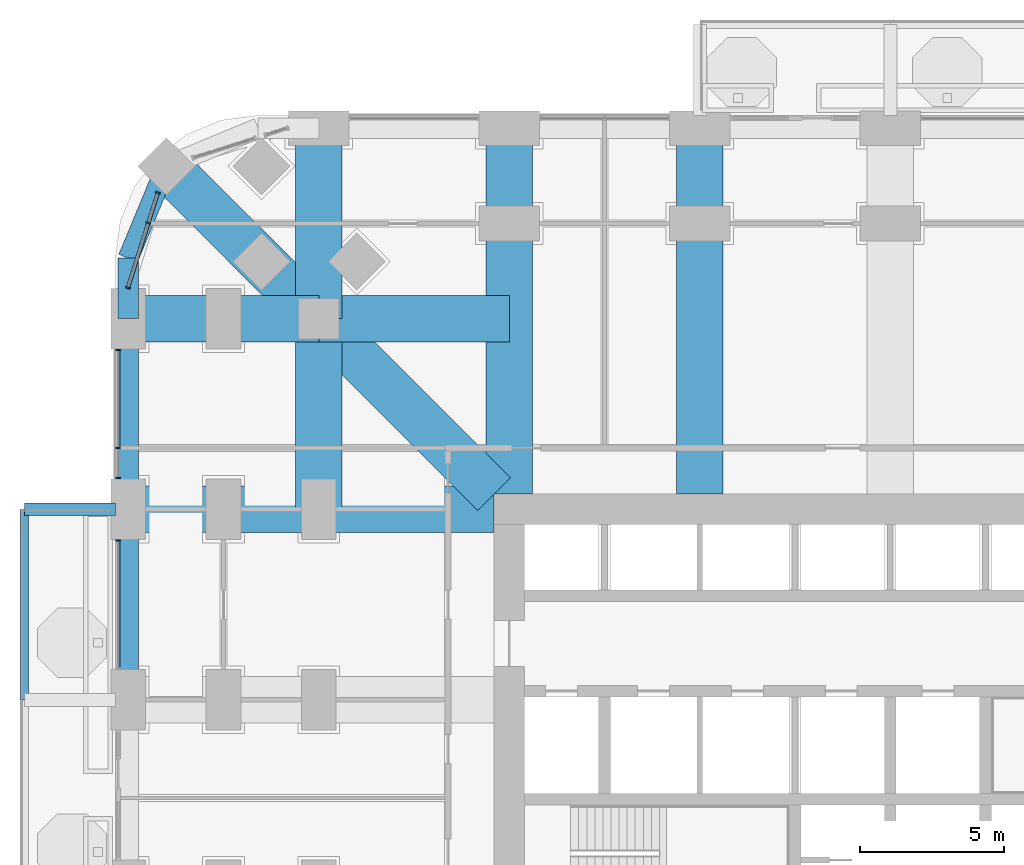
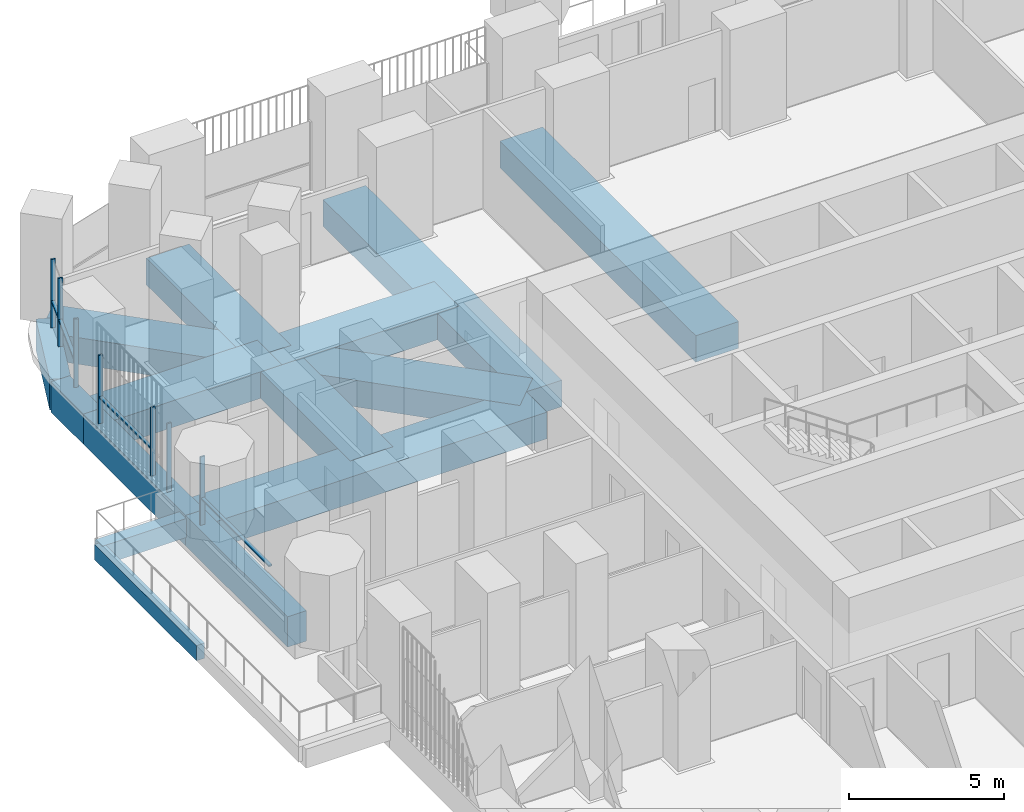
# One storey, part 6 of 26: 15 beams, 11 members, 3 elements without a shape of their own.
"""IFC4 building model written with IfcOpenShell, lengths in metres."""

from ifc_helpers import new_model, si_unit, direction, frame, origin, origin_2d, place, context, subcontext, project, spatial, rectangle, extrude, material, material_profile, profile_set, type_object, element, aggregate, save


model = new_model("IFC4")

# Units and contexts
model_context = context("Model", 3, precision=1e-05, world=origin(), true_north=direction((0.0, 1.0)))
body_context = subcontext(model_context, "Body", "Model", "MODEL_VIEW")
ifc_project = project(units=[si_unit("LENGTHUNIT", "METRE"), si_unit("AREAUNIT", "SQUARE_METRE"), si_unit("VOLUMEUNIT", "CUBIC_METRE"), si_unit("PLANEANGLEUNIT", "RADIAN"), si_unit("MASSUNIT", "GRAM", prefix="KILO")], contexts=[model_context])

# Site, building, storey
site_placement = place(None, origin())
site = spatial("IfcSite", under=ifc_project, at=site_placement, CompositionType="ELEMENT")
building_placement = place(site_placement, origin())
building = spatial("IfcBuilding", under=site, at=building_placement, Name="Cobogo Forest Laboratory Tower", CompositionType="ELEMENT")
storey_placement = place(building_placement, frame((0.0, 0.0, 59.10009765625)))
storey = spatial("IfcBuildingStorey", under=building, at=storey_placement, Name="L13", CompositionType="ELEMENT", Elevation=59.10009765625)

# Beams
ifc_material_1 = material(Name="Concrete HA-40 (C40/50)", Category="concrete")
ifc_material_profile_1 = material_profile(ifc_material_1, rectangle(XDim=0.449951171875, YDim=0.75, at=origin_2d()), Name="RC 450x750")
ifc_profile_set_1 = profile_set([ifc_material_profile_1], Name="Concrete HA-40 (C40/50)")
beam_type_1 = type_object("IfcBeamType", Name="Balcony cantilever beam 450x750", PredefinedType="BEAM", material=ifc_profile_set_1)
beam_1_placement = place(storey_placement, frame((-0.449951171875, 33.0, -0.625), z_axis=(-1.0, 0.0, 0.0), x_axis=(0.0, -1.0, 0.0)))
element("IfcBeam", 1, at=beam_1_placement, inside=storey, type_object=beam_type_1, Name="CB1 BAL-W1-C3 L13", PredefinedType="BEAM", context=body_context, shape_type="SweptSolid", body=[
    extrude(rectangle(XDim=0.449951171875, YDim=0.75, at=origin_2d()), origin(), (0.0, 0.0, 1.0), 3.150146484375),
])
ifc_material_profile_2 = material_profile(ifc_material_1, rectangle(XDim=0.300048828125, YDim=0.60009765625, at=origin_2d()), Name="RC 300x600")
ifc_profile_set_2 = profile_set([ifc_material_profile_2], Name="Concrete HA-40 (C40/50)")
beam_type_2 = type_object("IfcBeamType", Name="Balcony edge beam 300x600", PredefinedType="BEAM", material=ifc_profile_set_2)
beam_2_placement = place(storey_placement, frame((-3.60009765625, 26.39990234375, -0.550048828125), z_axis=(0.0, 1.0, 0.0), x_axis=(-1.0, 0.0, 0.0)))
element("IfcBeam", 2, at=beam_2_placement, inside=storey, type_object=beam_type_2, Name="BB1 BAL-W1-T2 L13", PredefinedType="BEAM", context=body_context, shape_type="SweptSolid", body=[
    extrude(rectangle(XDim=0.300048828125, YDim=0.60009765625, at=origin_2d()), origin(), (0.0, 0.0, 1.0), 6.60009765625),
])
ifc_material_2 = material(Name="Concrete HA-50 (C50/60)", Category="concrete")
ifc_material_profile_3 = material_profile(ifc_material_2, rectangle(XDim=1.60009765625, YDim=1.050048828125, at=origin_2d()), Name="RC 1600x1050")
ifc_profile_set_3 = profile_set([ifc_material_profile_3], Name="Concrete HA-50 (C50/60)")
beam_type_3 = type_object("IfcBeamType", Name="Laboratory floor wide beam 1600x1050", PredefinedType="BEAM", material=ifc_profile_set_3)
for number, where, z_axis, x_axis, name in (
    (3, (13.199951171875, 33.52490234375, -0.8251953125), (0.0, 1.0, 0.0), (-1.0, 0.0, 0.0), "RB8 R-3-N L13"),
    (4, (19.800048828125, 33.52490234375, -0.8251953125), (0.0, 1.0, 0.0), (-1.0, 0.0, 0.0), "RB8 R-4-N L13"),
    (5, (12.675048828125, 33.0, -0.8251953125), (-1.0, 0.0, 0.0), (0.0, -1.0, 0.0), "RB8 R-F-W L13"),
):
    element("IfcBeam", number, at=place(storey_placement, frame(where, z_axis=z_axis, x_axis=x_axis)), inside=storey, type_object=beam_type_3, Name=name, PredefinedType="BEAM", context=body_context, shape_type="SweptSolid", body=[
        extrude(rectangle(XDim=1.60009765625, YDim=1.050048828125, at=origin_2d()), origin(), (0.0, 0.0, 1.0), 12.675048828125),
    ])
beam_3_placement = place(storey_placement, frame((6.60009765625, 46.199951171875, -0.8251953125), z_axis=(0.0, -1.0, 0.0), x_axis=(1.0, 0.0, 0.0)))
element("IfcBeam", 6, at=beam_3_placement, inside=storey, type_object=beam_type_3, Name="RB8 G-NW-XF L13", PredefinedType="BEAM", context=body_context, shape_type="SweptSolid", body=[
    extrude(rectangle(XDim=1.60009765625, YDim=1.050048828125, at=origin_2d()), origin(), (0.0, 0.0, 1.0), 6.599853515625),
])
for number, where, z_axis, x_axis, name in (
    (7, (6.60009765625, 39.60009765625, -0.8251953125), (0.0, -1.0, 0.0), (1.0, 0.0, 0.0), "RB8 G-NW-XC L13"),
    (8, (0.0, 39.60009765625, -0.8251953125), (1.0, 0.0, 0.0), (0.0, 1.0, 0.0), "RB8 G-NW-YF L13"),
):
    element("IfcBeam", number, at=place(storey_placement, frame(where, z_axis=z_axis, x_axis=x_axis)), inside=storey, type_object=beam_type_3, Name=name, PredefinedType="BEAM", context=body_context, shape_type="SweptSolid", body=[
        extrude(rectangle(XDim=1.60009765625, YDim=1.050048828125, at=origin_2d()), origin(), (0.0, 0.0, 1.0), 6.60009765625),
    ])
beam_4_placement = place(storey_placement, frame((6.60009765625, 39.60009765625, -0.8251953125), z_axis=(1.0, 0.0, 0.0), x_axis=(0.0, 1.0, 0.0)))
element("IfcBeam", 9, at=beam_4_placement, inside=storey, type_object=beam_type_3, Name="RB8 G-NW-YC L13", PredefinedType="BEAM", context=body_context, shape_type="SweptSolid", body=[
    extrude(rectangle(XDim=1.60009765625, YDim=1.050048828125, at=origin_2d()), origin(), (0.0, 0.0, 1.0), 6.599853515625),
])
beam_5_placement = place(storey_placement, frame((1.318115234375, 44.882080078125, -0.8251953125), z_axis=(0.707106781187, -0.707106781187, 0.0), x_axis=(0.707106781187, 0.707106781187, 0.0)))
element("IfcBeam", 10, at=beam_5_placement, inside=storey, type_object=beam_type_3, Name="RB8 G-NW-D1 L13", PredefinedType="BEAM", context=body_context, shape_type="SweptSolid", body=[
    extrude(rectangle(XDim=1.60009765625, YDim=1.050048828125, at=origin_2d()), origin(), (0.0, 0.0, 1.0), 7.469970703125),
])
beam_6_placement = place(storey_placement, frame((6.60009765625, 39.60009765625, -0.8251953125), z_axis=(0.707092572697, -0.70712098939, 0.0), x_axis=(0.70712098939, 0.707092572697, 0.0)))
element("IfcBeam", 11, at=beam_6_placement, inside=storey, type_object=beam_type_3, Name="RB8 G-NW-D2 L13", PredefinedType="BEAM", context=body_context, shape_type="SweptSolid", body=[
    extrude(rectangle(XDim=1.60009765625, YDim=1.050048828125, at=origin_2d()), origin(), (0.0, 0.0, 1.0), 8.591552734375),
])

# Curtain wall, members
ifc_material_3 = material(Name="Aluminium curtain wall", Category="aluminium")
curtain_wall_type = type_object("IfcCurtainWallType", Name="CW-1 unitised curtain wall, clear glazing, laboratory floors zones A and B", PredefinedType="USERDEFINED", material=ifc_material_3)
curtain_wall_1_placement = place(storey_placement, origin())
curtain_wall_1 = element("IfcCurtainWall", 12, at=curtain_wall_1_placement, inside=storey, type_object=curtain_wall_type, Name="Curtain wall 26 L13", ObjectType="UNITISED CURTAIN WALL", PredefinedType="USERDEFINED")
ifc_material_4 = material(Name="Aluminium mullion", Category="aluminium")
ifc_material_profile_4 = material_profile(ifc_material_4, rectangle(XDim=0.06005859375, YDim=0.159912109375, at=origin_2d()), Name="AL 60x160")
ifc_profile_set_4 = profile_set([ifc_material_profile_4], Name="Aluminium mullion")
member_type_1 = type_object("IfcMemberType", Name="MU-1 aluminium mullion 60x160", PredefinedType="MULLION", material=ifc_profile_set_4)
member_1_placement = place(storey_placement, frame((1.02734375, 43.961181640625, 0.0), z_axis=(0.0, 0.0, 1.0), x_axis=(-0.30113535792, -0.95358140513, 0.0)))
member_1 = element("IfcMember", 13, at=member_1_placement, type_object=member_type_1, Name="CW-1 mullion 1", PredefinedType="MULLION", context=body_context, shape_type="SweptSolid", body=[
    extrude(rectangle(XDim=0.06005859375, YDim=0.159912109375, at=origin_2d()), origin(), (0.0, 0.0, 1.0), 2.699951171875),
])
member_2_placement = place(storey_placement, frame((0.69970703125, 42.924072265625, 0.0), z_axis=(0.0, 0.0, 1.0), x_axis=(-0.30113535792, -0.95358140513, 0.0)))
member_2 = element("IfcMember", 14, at=member_2_placement, type_object=member_type_1, Name="CW-1 mullion 2", PredefinedType="MULLION", context=body_context, shape_type="SweptSolid", body=[
    extrude(rectangle(XDim=0.06005859375, YDim=0.159912109375, at=origin_2d()), origin(), (0.0, 0.0, 1.0), 2.699951171875),
])
member_3_placement = place(storey_placement, frame((-0.00927734375, 40.6787109375, 0.0), z_axis=(0.0, 0.0, 1.0), x_axis=(-0.30113535792, -0.95358140513, 0.0)))
member_3 = element("IfcMember", 15, at=member_3_placement, type_object=member_type_1, Name="CW-1 mullion 3", PredefinedType="MULLION", context=body_context, shape_type="SweptSolid", body=[
    extrude(rectangle(XDim=0.06005859375, YDim=0.159912109375, at=origin_2d()), origin(), (0.0, 0.0, 1.0), 2.699951171875),
])

curtain_wall_2_placement = place(storey_placement, origin())
curtain_wall_2 = element("IfcCurtainWall", 16, at=curtain_wall_2_placement, inside=storey, type_object=curtain_wall_type, Name="Curtain wall 27 L13", ObjectType="UNITISED CURTAIN WALL", PredefinedType="USERDEFINED")
member_4_placement = place(storey_placement, frame((-0.35009765625, 38.52001953125, 0.0), z_axis=(0.0, 0.0, 1.0), x_axis=(0.0, -1.0, 0.0)))
member_4 = element("IfcMember", 17, at=member_4_placement, type_object=member_type_1, Name="CW-1 mullion 1", PredefinedType="MULLION", context=body_context, shape_type="SweptSolid", body=[
    extrude(rectangle(XDim=0.06005859375, YDim=0.159912109375, at=origin_2d()), origin(), (0.0, 0.0, 1.0), 2.699951171875),
])
member_5_placement = place(storey_placement, frame((-0.35009765625, 35.125, 0.0), z_axis=(0.0, 0.0, 1.0), x_axis=(0.0, -1.0, 0.0)))
member_5 = element("IfcMember", 18, at=member_5_placement, type_object=member_type_1, Name="CW-1 mullion 2", PredefinedType="MULLION", context=body_context, shape_type="SweptSolid", body=[
    extrude(rectangle(XDim=0.06005859375, YDim=0.159912109375, at=origin_2d()), origin(), (0.0, 0.0, 1.0), 2.699951171875),
])
member_6_placement = place(storey_placement, frame((-0.35009765625, 34.080078125, 0.0), z_axis=(0.0, 0.0, 1.0), x_axis=(0.0, -1.0, 0.0)))
member_6 = element("IfcMember", 19, at=member_6_placement, type_object=member_type_1, Name="CW-1 mullion 3", PredefinedType="MULLION", context=body_context, shape_type="SweptSolid", body=[
    extrude(rectangle(XDim=0.06005859375, YDim=0.159912109375, at=origin_2d()), origin(), (0.0, 0.0, 1.0), 2.699951171875),
])

# Curtain wall, member
curtain_wall_3_placement = place(storey_placement, origin())
curtain_wall_3 = element("IfcCurtainWall", 20, at=curtain_wall_3_placement, inside=storey, type_object=curtain_wall_type, Name="Curtain wall 28 L13", ObjectType="UNITISED CURTAIN WALL", PredefinedType="USERDEFINED")
member_7_placement = place(storey_placement, frame((-0.35009765625, 31.919921875, 0.0), z_axis=(0.0, 0.0, 1.0), x_axis=(0.0, -1.0, 0.0)))
member_7 = element("IfcMember", 21, at=member_7_placement, type_object=member_type_1, Name="CW-1 mullion 1", PredefinedType="MULLION", context=body_context, shape_type="SweptSolid", body=[
    extrude(rectangle(XDim=0.06005859375, YDim=0.159912109375, at=origin_2d()), origin(), (0.0, 0.0, 1.0), 2.699951171875),
])

# Beams
ifc_material_profile_5 = material_profile(ifc_material_1, rectangle(XDim=0.699951171875, YDim=1.199951171875, at=origin_2d()), Name="RC 700x1200")
ifc_profile_set_5 = profile_set([ifc_material_profile_5], Name="Concrete HA-40 (C40/50)")
beam_type_4 = type_object("IfcBeamType", Name="Perimeter edge beam 700x1200", PredefinedType="BEAM", material=ifc_profile_set_5)
for number, where, z_axis, x_axis, name in (
    (22, (0.0, 26.39990234375, -0.900146484375), (0.0, 1.0, 0.0), (-1.0, 0.0, 0.0), "EB1 E-W4 L13"),
    (23, (0.0, 33.0, -0.900146484375), (0.0, 1.0, 0.0), (-1.0, 0.0, 0.0), "EB1 E-W5 L13"),
):
    element("IfcBeam", number, at=place(storey_placement, frame(where, z_axis=z_axis, x_axis=x_axis)), inside=storey, type_object=beam_type_4, Name=name, PredefinedType="BEAM", context=body_context, shape_type="SweptSolid", body=[
        extrude(rectangle(XDim=0.699951171875, YDim=1.199951171875, at=origin_2d()), origin(), (0.0, 0.0, 1.0), 6.60009765625),
    ])
beam_7_placement = place(storey_placement, frame((0.0, 39.60009765625, -0.900146484375), z_axis=(0.0, 1.0, 0.0), x_axis=(-1.0, 0.0, 0.0)))
element("IfcBeam", 24, at=beam_7_placement, inside=storey, type_object=beam_type_4, Name="EB1 E-NWW1 L13", PredefinedType="BEAM", context=body_context, shape_type="SweptSolid", body=[
    extrude(rectangle(XDim=0.699951171875, YDim=1.199951171875, at=origin_2d()), origin(), (0.0, 0.0, 1.0), 2.099853515625),
])
beam_8_placement = place(storey_placement, frame((0.0, 41.699951171875, -0.900146484375), z_axis=(0.382691928466, 0.923876013265, 0.0), x_axis=(-0.923876013265, 0.382691928466, 0.0)))
element("IfcBeam", 25, at=beam_8_placement, inside=storey, type_object=beam_type_4, Name="EB1 E-NWW2 L13", PredefinedType="BEAM", context=body_context, shape_type="SweptSolid", body=[
    extrude(rectangle(XDim=0.699951171875, YDim=1.199951171875, at=origin_2d()), origin(), (0.0, 0.0, 1.0), 3.4443359375),
])

# Member
ifc_material_5 = material(Name="Aluminium transom", Category="aluminium")
ifc_material_profile_6 = material_profile(ifc_material_5, rectangle(XDim=0.1201171875, YDim=0.06005859375, at=origin_2d()), Name="AL 60x120")
ifc_profile_set_6 = profile_set([ifc_material_profile_6], Name="Aluminium transom")
member_type_2 = type_object("IfcMemberType", Name="TR-1 aluminium transom 60x120", PredefinedType="USERDEFINED", material=ifc_profile_set_6)
member_8_placement = place(storey_placement, frame((1.018310546875, 43.9326171875, 1.0498046875), z_axis=(-0.301222320394, -0.953553938535, 0.0), x_axis=(0.953553938535, -0.301222320394, 0.0)))
member_8 = element("IfcMember", 26, at=member_8_placement, type_object=member_type_2, Name="CW-1 transom 1.1", ObjectType="TRANSOM", PredefinedType="USERDEFINED", context=body_context, shape_type="SweptSolid", body=[
    extrude(rectangle(XDim=0.1201171875, YDim=0.06005859375, at=origin_2d()), origin(), (0.0, 0.0, 1.0), 1.02783203125),
])

member_9_placement = place(storey_placement, frame((0.690673828125, 42.8955078125, 1.0498046875), z_axis=(-0.301090633022, -0.953595527835, 0.0), x_axis=(0.953595527835, -0.301090633022, 0.0)))
member_9 = element("IfcMember", 27, at=member_9_placement, type_object=member_type_2, Name="CW-1 transom 2.1", ObjectType="TRANSOM", PredefinedType="USERDEFINED", context=body_context, shape_type="SweptSolid", body=[
    extrude(rectangle(XDim=0.1201171875, YDim=0.06005859375, at=origin_2d()), origin(), (0.0, 0.0, 1.0), 2.294677734375),
])

aggregate(curtain_wall_1, [member_1, member_2, member_3, member_8, member_9])

member_10_placement = place(storey_placement, frame((-0.35009765625, 38.489990234375, 1.0498046875), z_axis=(0.0, -1.0, 0.0), x_axis=(1.0, 0.0, 0.0)))
member_10 = element("IfcMember", 28, at=member_10_placement, type_object=member_type_2, Name="CW-1 transom 1.1", ObjectType="TRANSOM", PredefinedType="USERDEFINED", context=body_context, shape_type="SweptSolid", body=[
    extrude(rectangle(XDim=0.1201171875, YDim=0.06005859375, at=origin_2d()), origin(), (0.0, 0.0, 1.0), 3.3349609375),
])

aggregate(curtain_wall_2, [member_4, member_5, member_6, member_10])

member_11_placement = place(storey_placement, frame((-0.35009765625, 31.889892578125, 1.0498046875), z_axis=(0.0, -1.0, 0.0), x_axis=(1.0, 0.0, 0.0)))
member_11 = element("IfcMember", 29, at=member_11_placement, type_object=member_type_2, Name="CW-1 transom 1.1", ObjectType="TRANSOM", PredefinedType="USERDEFINED", context=body_context, shape_type="SweptSolid", body=[
    extrude(rectangle(XDim=0.1201171875, YDim=0.06005859375, at=origin_2d()), origin(), (0.0, 0.0, 1.0), 4.3798828125),
])

aggregate(curtain_wall_3, [member_7, member_11])

save(model, "model.ifc")
